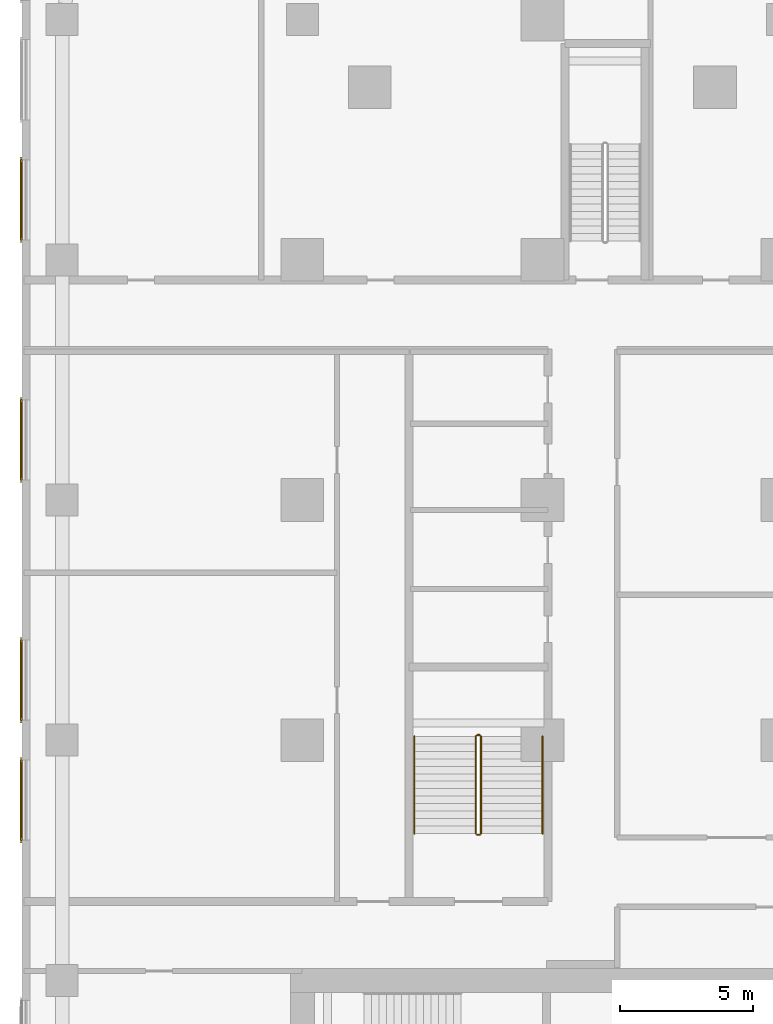
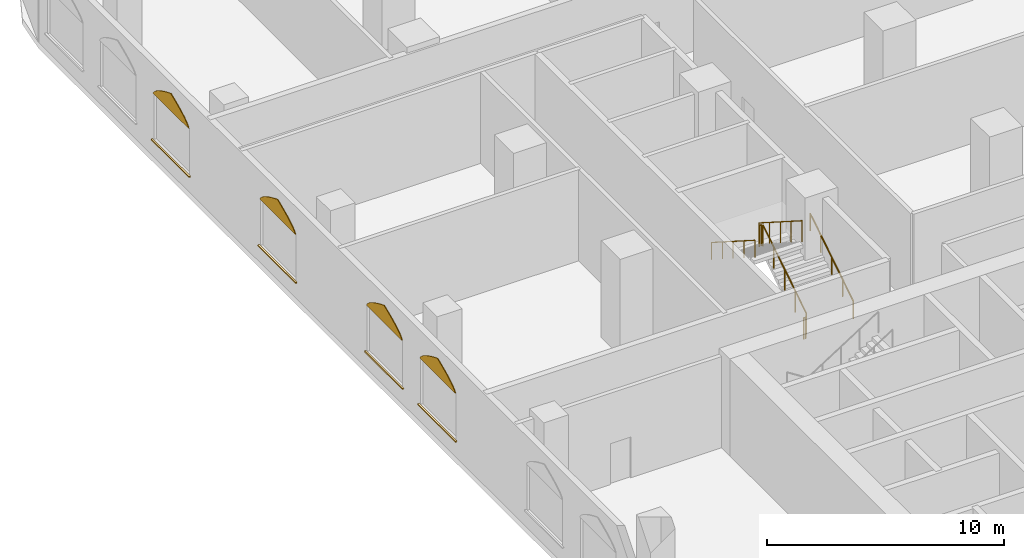
# One storey, part 23 of 31: 8 coverings, 6 railings.
"""IFC4 building model written with IfcOpenShell, lengths in metres."""

from ifc_helpers import new_model, si_unit, direction, frame, origin, origin_2d, place, context, subcontext, project, spatial, polyline, rectangle, circle, outline, extrude, material, layer, layer_set, type_object, element, save


model = new_model("IFC4")

# Units and contexts
model_context = context("Model", 3, precision=1e-05, world=origin(), true_north=direction((0.0, 1.0)))
body_context = subcontext(model_context, "Body", "Model", "MODEL_VIEW")
ifc_project = project(units=[si_unit("LENGTHUNIT", "METRE"), si_unit("AREAUNIT", "SQUARE_METRE"), si_unit("VOLUMEUNIT", "CUBIC_METRE"), si_unit("PLANEANGLEUNIT", "RADIAN"), si_unit("MASSUNIT", "GRAM", prefix="KILO")], contexts=[model_context])

# Site, building, storey
site_placement = place(None, origin())
site = spatial("IfcSite", under=ifc_project, at=site_placement, CompositionType="ELEMENT")
building_placement = place(site_placement, origin())
building = spatial("IfcBuilding", under=site, at=building_placement, Name="Ogive Portal Towers", CompositionType="ELEMENT")
storey_placement = place(building_placement, frame((0.0, 0.0, 13.5)))
storey = spatial("IfcBuildingStorey", under=building, at=storey_placement, Name="L02", CompositionType="ELEMENT", Elevation=13.5)

# Railings
ifc_material_1 = material(Name="Stainless steel balustrade", Category="steel")
railing_type_1 = type_object("IfcRailingType", Name="INT-GUARD", PredefinedType="GUARDRAIL", material=ifc_material_1)
railing_1_placement = place(storey_placement, frame((38.199951171875, 45.0, 0.178466796875)))
element("IfcRailing", 1, at=railing_1_placement, inside=storey, type_object=railing_type_1, Name="L02 ST-P2 stair guard 1", PredefinedType="GUARDRAIL", context=body_context, shape_type="SweptSolid", body=[
    extrude(circle(Radius=0.02392578125, at=origin_2d()), frame((0.0, 0.0, 1.076171875), z_axis=(0.0, 0.843111507901, 0.53773877045), x_axis=(-1.0, 0.0, 0.0)), (0.0, 0.0, 1.0), 4.317138671875),
    extrude(circle(Radius=0.02099609375, at=origin_2d()), origin(), (0.0, 0.0, 1.0), 1.052001953125),
    extrude(circle(Radius=0.02099609375, at=origin_2d()), frame((0.0, 0.909912109375, 0.580322265625)), (0.0, 0.0, 1.0), 1.052001953125),
    extrude(circle(Radius=0.02099609375, at=origin_2d()), frame((0.0, 1.81982421875, 1.16064453125)), (0.0, 0.0, 1.0), 1.052001953125),
    extrude(circle(Radius=0.02099609375, at=origin_2d()), frame((0.0, 2.72998046875, 1.7412109375)), (0.0, 0.0, 1.0), 1.052001953125),
    extrude(circle(Radius=0.02099609375, at=origin_2d()), frame((0.0, 3.639892578125, 2.321533203125)), (0.0, 0.0, 1.0), 1.052001953125),
])
railing_2_placement = place(storey_placement, frame((38.14990234375, 48.68994140625, 2.5)))
element("IfcRailing", 2, at=railing_2_placement, inside=storey, type_object=railing_type_1, Name="L02 ST-P2 stair guard 2", PredefinedType="GUARDRAIL", context=body_context, shape_type="SweptSolid", body=[
    extrude(circle(Radius=0.02392578125, at=origin_2d()), frame((0.0, 0.0, 1.076171875), z_axis=(-1.0, 0.0, 0.0), x_axis=(0.0, -1.0, 0.0)), (0.0, 0.0, 1.0), 0.099853515625),
    extrude(circle(Radius=0.02099609375, at=origin_2d()), origin(), (0.0, 0.0, 1.0), 1.052001953125),
    extrude(circle(Radius=0.02099609375, at=origin_2d()), frame((-0.099853515625, 0.0, 0.0)), (0.0, 0.0, 1.0), 1.052001953125),
])
railing_3_placement = place(storey_placement, frame((38.0, 48.639892578125, 2.678466796875)))
element("IfcRailing", 3, at=railing_3_placement, inside=storey, type_object=railing_type_1, Name="L02 ST-P2 stair guard 3", PredefinedType="GUARDRAIL", context=body_context, shape_type="SweptSolid", body=[
    extrude(circle(Radius=0.02392578125, at=origin_2d()), frame((0.0, 0.0, 1.076171875), z_axis=(0.0, -0.843111507901, 0.53773877045), x_axis=(1.0, 0.0, 0.0)), (0.0, 0.0, 1.0), 4.317138671875),
    extrude(circle(Radius=0.02099609375, at=origin_2d()), origin(), (0.0, 0.0, 1.0), 1.052001953125),
    extrude(circle(Radius=0.02099609375, at=origin_2d()), frame((0.0, -0.909912109375, 0.580322265625)), (0.0, 0.0, 1.0), 1.052001953125),
    extrude(circle(Radius=0.02099609375, at=origin_2d()), frame((0.0, -1.81982421875, 1.16064453125)), (0.0, 0.0, 1.0), 1.052001953125),
    extrude(circle(Radius=0.02099609375, at=origin_2d()), frame((0.0, -2.72998046875, 1.7412109375)), (0.0, 0.0, 1.0), 1.052001953125),
    extrude(circle(Radius=0.02099609375, at=origin_2d()), frame((0.0, -3.639892578125, 2.321533203125)), (0.0, 0.0, 1.0), 1.052001953125),
])
railing_4_placement = place(storey_placement, frame((38.14990234375, 44.949951171875, 0.0)))
element("IfcRailing", 4, at=railing_4_placement, inside=storey, type_object=railing_type_1, Name="L02 ST-P2 stair guard 4", PredefinedType="GUARDRAIL", context=body_context, shape_type="SweptSolid", body=[
    extrude(circle(Radius=0.02392578125, at=origin_2d()), frame((0.0, 0.0, 1.076171875), z_axis=(-1.0, 0.0, 0.0), x_axis=(0.0, -1.0, 0.0)), (0.0, 0.0, 1.0), 0.099853515625),
    extrude(circle(Radius=0.02099609375, at=origin_2d()), origin(), (0.0, 0.0, 1.0), 1.052001953125),
    extrude(circle(Radius=0.02099609375, at=origin_2d()), frame((-0.099853515625, 0.0, 0.0)), (0.0, 0.0, 1.0), 1.052001953125),
])
ifc_material_2 = material(Name="Stainless steel handrail", Category="steel")
railing_type_2 = type_object("IfcRailingType", Name="INT-HANDRAIL", PredefinedType="HANDRAIL", material=ifc_material_2)
railing_5_placement = place(storey_placement, frame((40.5, 45.0, 0.178466796875)))
element("IfcRailing", 5, at=railing_5_placement, inside=storey, type_object=railing_type_2, Name="L02 ST-P2 stair handrail 1", PredefinedType="HANDRAIL", context=body_context, shape_type="SweptSolid", body=[
    extrude(circle(Radius=0.02392578125, at=origin_2d()), frame((0.0, 0.0, 0.8759765625), z_axis=(0.0, 0.843111507901, 0.53773877045), x_axis=(-1.0, 0.0, 0.0)), (0.0, 0.0, 1.0), 4.317138671875),
    extrude(circle(Radius=0.02099609375, at=origin_2d()), origin(), (0.0, 0.0, 1.0), 0.851806640625),
    extrude(circle(Radius=0.02099609375, at=origin_2d()), frame((0.0, 0.909912109375, 0.580322265625)), (0.0, 0.0, 1.0), 0.851806640625),
    extrude(circle(Radius=0.02099609375, at=origin_2d()), frame((0.0, 1.81982421875, 1.16064453125)), (0.0, 0.0, 1.0), 0.851806640625),
    extrude(circle(Radius=0.02099609375, at=origin_2d()), frame((0.0, 2.72998046875, 1.7412109375)), (0.0, 0.0, 1.0), 0.851806640625),
    extrude(circle(Radius=0.02099609375, at=origin_2d()), frame((0.0, 3.639892578125, 2.321533203125)), (0.0, 0.0, 1.0), 0.851806640625),
])
railing_6_placement = place(storey_placement, frame((35.699951171875, 48.639892578125, 2.678466796875)))
element("IfcRailing", 6, at=railing_6_placement, inside=storey, type_object=railing_type_2, Name="L02 ST-P2 stair handrail 2", PredefinedType="HANDRAIL", context=body_context, shape_type="SweptSolid", body=[
    extrude(circle(Radius=0.02392578125, at=origin_2d()), frame((0.0, 0.0, 0.8759765625), z_axis=(0.0, -0.843111507901, 0.53773877045), x_axis=(1.0, 0.0, 0.0)), (0.0, 0.0, 1.0), 4.317138671875),
    extrude(circle(Radius=0.02099609375, at=origin_2d()), origin(), (0.0, 0.0, 1.0), 0.851806640625),
    extrude(circle(Radius=0.02099609375, at=origin_2d()), frame((0.0, -0.909912109375, 0.580322265625)), (0.0, 0.0, 1.0), 0.851806640625),
    extrude(circle(Radius=0.02099609375, at=origin_2d()), frame((0.0, -1.81982421875, 1.16064453125)), (0.0, 0.0, 1.0), 0.851806640625),
    extrude(circle(Radius=0.02099609375, at=origin_2d()), frame((0.0, -2.72998046875, 1.7412109375)), (0.0, 0.0, 1.0), 0.851806640625),
    extrude(circle(Radius=0.02099609375, at=origin_2d()), frame((0.0, -3.639892578125, 2.321533203125)), (0.0, 0.0, 1.0), 0.851806640625),
])

# Coverings
ifc_material_3 = material(Name="Limestone cladding on lightweight block wall", Category="masonry")
ifc_layer_1 = layer(ifc_material_3, 0.0400390625)
ifc_layer_set_1 = layer_set([ifc_layer_1], Name="LANCET HEAD STONE")
covering_type_1 = type_object("IfcCoveringType", Name="LANCET HEAD STONE", PredefinedType="CLADDING", material=ifc_layer_set_1)
for number, where, z_axis, x_axis, name in (
    (7, (21.0, 70.25, 3.300048828125), (0.999950056531, 0.0, 0.009994220538), (0.0, -1.0, 0.0), "Lancet head"),
    (8, (21.0, 61.25, 3.300048828125), (0.999950056531, 0.0, 0.009994220538), (0.0, -1.0, 0.0), "Lancet head"),
    (9, (21.0, 52.25, 3.300048828125), (0.999950056531, 0.0, 0.009994220538), (0.0, -1.0, 0.0), "Lancet head"),
    (10, (21.0, 47.75, 3.300048828125), (0.999950056531, 0.0, 0.009994220538), (0.0, -1.0, 0.0), "Lancet head"),
):
    element("IfcCovering", number, at=place(storey_placement, frame(where, z_axis=z_axis, x_axis=x_axis)), inside=storey, type_object=covering_type_1, Name=name, PredefinedType="CLADDING", context=body_context, shape_type="SweptSolid", body=[
        extrude(outline(polyline([(0.0, 0.0), (3.0, 0.0), (2.93359375, -0.11255540702230543), (2.8125, -0.22486424561759202), (2.655517578125, -0.3374196526398974), (2.4697265625, -0.4499726196669543), (2.2587890625, -0.5625280266892596), (2.025634765625, -0.6750834337115651), (1.772216796875, -0.7873922723068517), (1.5, -0.8999476793291572), (1.227783203125, -0.7873922723068517), (0.974365234375, -0.6750834337115651), (0.7412109375, -0.5625280266892596), (0.5302734375, -0.4499726196669543), (0.344482421875, -0.3374196526398974), (0.1875, -0.22486424561759202), (0.06640625, -0.11255540702230543), (0.0, 0.0)])), origin(), (0.0, 0.0, -1.0), 0.0400390625),
    ])
ifc_layer_2 = layer(ifc_material_3, 0.080078125)
ifc_layer_set_2 = layer_set([ifc_layer_2], Name="STONE SILL 80")
covering_type_2 = type_object("IfcCoveringType", Name="STONE SILL 80", PredefinedType="CLADDING", material=ifc_layer_set_2)
for number, where, z_axis, x_axis, name in (
    (11, (20.9599609375, 68.75, 0.840087890625), (0.0, 0.0, 1.0), (0.0, -1.0, 0.0), "Stone sill"),
    (12, (20.9599609375, 59.75, 0.840087890625), (0.0, 0.0, 1.0), (0.0, -1.0, 0.0), "Stone sill"),
    (13, (20.9599609375, 50.75, 0.840087890625), (0.0, 0.0, 1.0), (0.0, -1.0, 0.0), "Stone sill"),
    (14, (20.9599609375, 46.25, 0.840087890625), (0.0, 0.0, 1.0), (0.0, -1.0, 0.0), "Stone sill"),
):
    element("IfcCovering", number, at=place(storey_placement, frame(where, z_axis=z_axis, x_axis=x_axis)), inside=storey, type_object=covering_type_2, Name=name, PredefinedType="CLADDING", context=body_context, shape_type="SweptSolid", body=[
        extrude(rectangle(XDim=3.199951171875, YDim=0.080078125, at=origin_2d()), origin(), (0.0, 0.0, 1.0), 0.06005859375),
    ])

save(model, "model.ifc")
